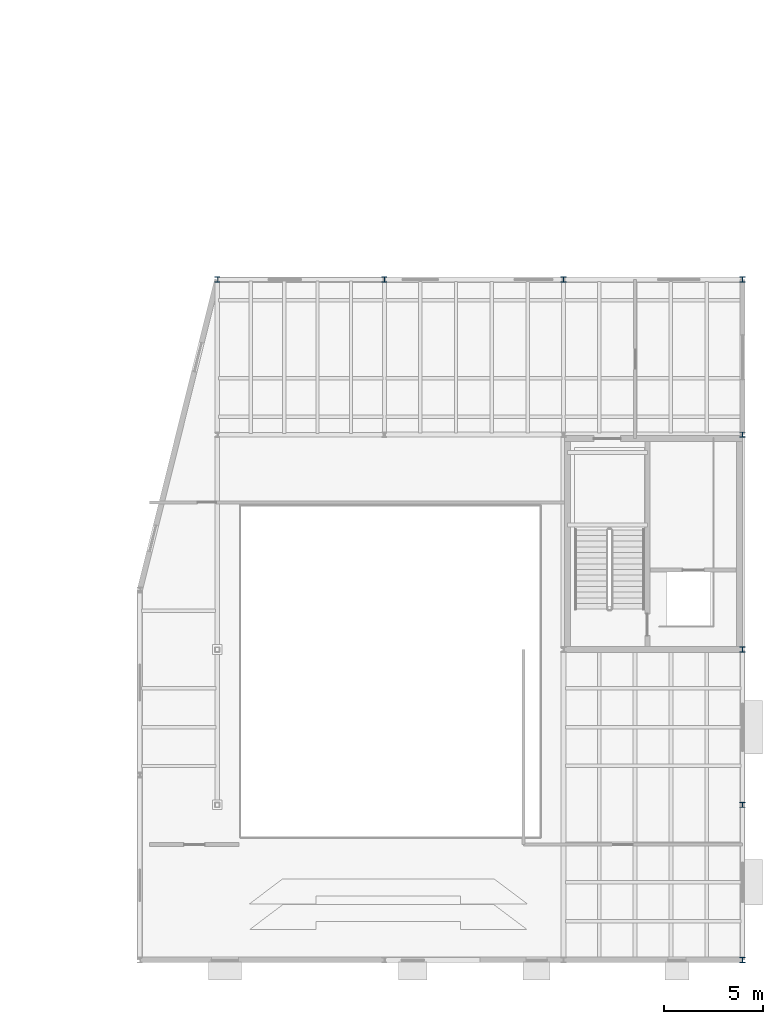
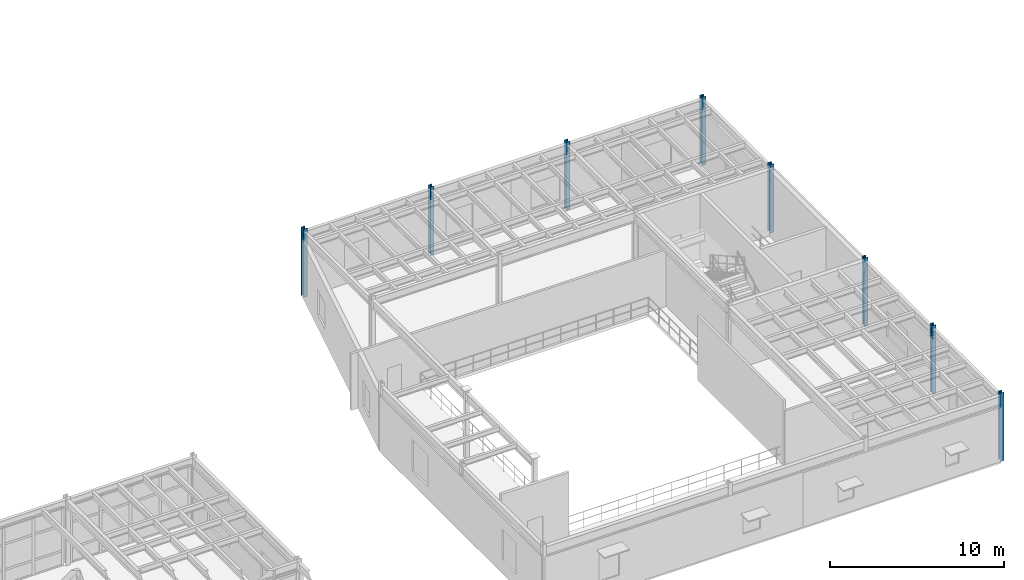
# One storey, part 18 of 116: 8 columns.
"""IFC4 building model written with IfcOpenShell, lengths in metres."""

from ifc_helpers import new_model, si_unit, direction, frame, origin, origin_2d, place, context, subcontext, project, spatial, i_section, extrude, material, material_profile, profile_set, type_object, element, save


model = new_model("IFC4")

# Units and contexts
model_context = context("Model", 3, precision=1e-05, world=origin(), true_north=direction((0.0, 1.0)))
body_context = subcontext(model_context, "Body", "Model", "MODEL_VIEW")
ifc_project = project(units=[si_unit("LENGTHUNIT", "METRE"), si_unit("AREAUNIT", "SQUARE_METRE"), si_unit("VOLUMEUNIT", "CUBIC_METRE"), si_unit("PLANEANGLEUNIT", "RADIAN"), si_unit("MASSUNIT", "GRAM", prefix="KILO")], contexts=[model_context])

# Site, building, storey
site_placement = place(None, origin())
site = spatial("IfcSite", under=ifc_project, at=site_placement, CompositionType="ELEMENT")
building_placement = place(site_placement, origin())
building = spatial("IfcBuilding", under=site, at=building_placement, Name="Selat Folded Stagehouse", CompositionType="ELEMENT")
storey_placement = place(building_placement, frame((0.0, 0.0, 5.39990234375)))
storey = spatial("IfcBuildingStorey", under=building, at=storey_placement, Name="L01", CompositionType="ELEMENT", Elevation=5.39990234375)

# Columns
ifc_material = material(Name="Steel S355", Category="steel")
ifc_material_profile = material_profile(ifc_material, i_section(OverallWidth=0.2587890625, OverallDepth=0.2666015625, WebThickness=0.0126953125, FlangeThickness=0.0205078125, FilletRadius=0.0126953125, at=origin_2d()), Name="UKC 254x254x107")
ifc_profile_set = profile_set([ifc_material_profile], Name="Steel S355")
column_type = type_object("IfcColumnType", Name="COL-UKC-254x254x107", PredefinedType="COLUMN", material=ifc_profile_set)
for number, where, z_axis, x_axis, name in (
    (1, (134.39990234375, 34.199951171875, 0.0), (0.0, 0.0, 1.0), (1.0, 0.0, 0.0), "L01 column STK-V3-04"),
    (2, (142.800048828125, 34.199951171875, 0.0), (0.0, 0.0, 1.0), (1.0, 0.0, 0.0), "L01 column STK-V3-07"),
    (3, (151.800048828125, 34.199951171875, 0.0), (0.0, 0.0, 1.0), (1.0, 0.0, 0.0), "L01 column STK-V3-11"),
    (4, (160.800048828125, 0.0, 0.0), (0.0, 0.0, 1.0), (1.0, 0.0, 0.0), "L01 column STK-V3-12"),
    (5, (160.800048828125, 7.800048828125, 0.0), (0.0, 0.0, 1.0), (1.0, 0.0, 0.0), "L01 column STK-V3-13"),
    (6, (160.800048828125, 15.60009765625, 0.0), (0.0, 0.0, 1.0), (1.0, 0.0, 0.0), "L01 column STK-V3-14"),
    (7, (160.800048828125, 26.39990234375, 0.0), (0.0, 0.0, 1.0), (1.0, 0.0, 0.0), "L01 column STK-V3-15"),
    (8, (160.800048828125, 34.199951171875, 0.0), (0.0, 0.0, 1.0), (1.0, 0.0, 0.0), "L01 column STK-V3-16"),
):
    element("IfcColumn", number, at=place(storey_placement, frame(where, z_axis=z_axis, x_axis=x_axis)), inside=storey, type_object=column_type, Name=name, PredefinedType="COLUMN", context=body_context, shape_type="SweptSolid", body=[
        extrude(i_section(OverallWidth=0.2587890625, OverallDepth=0.2666015625, WebThickness=0.0126953125, FlangeThickness=0.0205078125, FilletRadius=0.0126953125, at=origin_2d()), origin(), (0.0, 0.0, 1.0), 4.800048828125),
    ])

save(model, "model.ifc")
